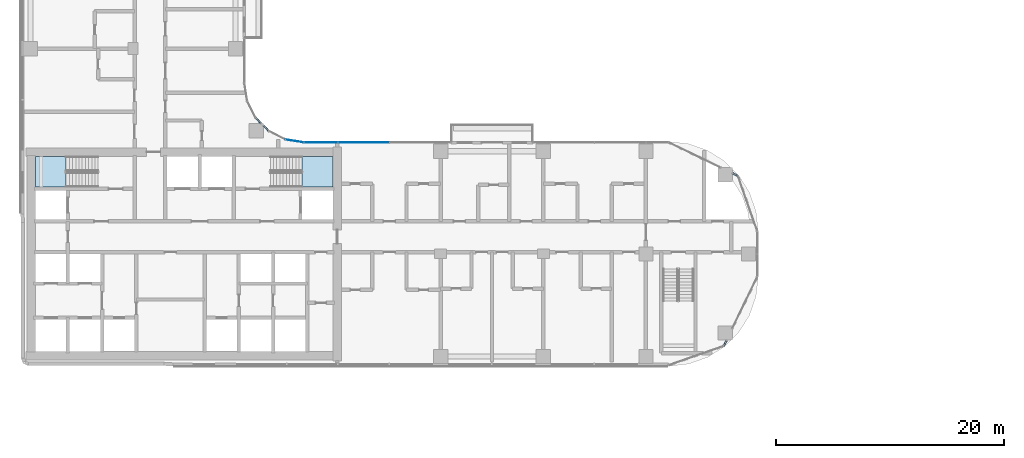
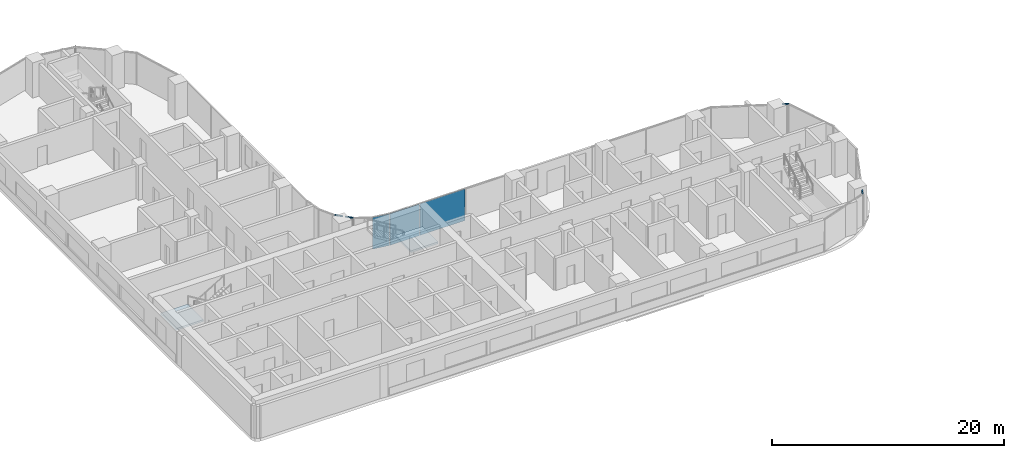
# One storey, part 11 of 35: 4 members, 3 plates, 2 slabs, 7 elements without a shape of their own.
"""IFC4 building model written with IfcOpenShell, lengths in metres."""

from ifc_helpers import new_model, si_unit, direction, frame, origin, origin_2d, place, context, subcontext, project, spatial, polyline, rectangle, outline, extrude, material, layer, layer_set, material_profile, profile_set, type_object, element, aggregate, save


model = new_model("IFC4")

# Units and contexts
model_context = context("Model", 3, precision=1e-05, world=origin(), true_north=direction((0.0, 1.0)))
body_context = subcontext(model_context, "Body", "Model", "MODEL_VIEW")
ifc_project = project(units=[si_unit("LENGTHUNIT", "METRE"), si_unit("AREAUNIT", "SQUARE_METRE"), si_unit("VOLUMEUNIT", "CUBIC_METRE"), si_unit("PLANEANGLEUNIT", "RADIAN"), si_unit("MASSUNIT", "GRAM", prefix="KILO")], contexts=[model_context])

# Site, building, storey
site_placement = place(None, origin())
site = spatial("IfcSite", under=ifc_project, at=site_placement, CompositionType="ELEMENT")
building_placement = place(site_placement, origin())
building = spatial("IfcBuilding", under=site, at=building_placement, Name="Ogive Portal Towers", CompositionType="ELEMENT")
storey_placement = place(building_placement, frame((0.0, 0.0, 90.800048828125)))
storey = spatial("IfcBuildingStorey", under=building, at=storey_placement, Name="L21", CompositionType="ELEMENT", Elevation=90.800048828125)

# Curtain wall, member
ifc_material_1 = material(Name="Glass, clear low-iron insulated glazing", Category="glass")
curtain_wall_type = type_object("IfcCurtainWallType", Name="CW FRONT RIBBON 4500", PredefinedType="NOTDEFINED", material=ifc_material_1)
curtain_wall_1_placement = place(storey_placement, origin())
curtain_wall_1 = element("IfcCurtainWall", 1, at=curtain_wall_1_placement, inside=storey, type_object=curtain_wall_type, Name="A:L21:f06:cwa~0", PredefinedType="NOTDEFINED")
ifc_material_2 = material(Name="Aluminium 6063 anodised", Category="aluminium")
ifc_material_profile = material_profile(ifc_material_2, rectangle(XDim=0.1201171875, YDim=0.06005859375, at=origin_2d()), Name="AL 120x60")
ifc_profile_set = profile_set([ifc_material_profile], Name="Aluminium 6063 anodised")
member_type = type_object("IfcMemberType", Name="CW TRANSOM 60x120", PredefinedType="USERDEFINED", material=ifc_profile_set)
member_1_placement = place(storey_placement, frame((92.33984375, 22.42333984375, 3.369873046875), z_axis=(0.434013326486, 0.900906450433, 0.0), x_axis=(-0.900906450433, 0.434013326486, 0.0)))
member_1 = element("IfcMember", 2, at=member_1_placement, type_object=member_type, Name="transom", ObjectType="TRANSOM", PredefinedType="USERDEFINED", context=body_context, shape_type="SweptSolid", body=[
    extrude(rectangle(XDim=0.1201171875, YDim=0.06005859375, at=origin_2d()), origin(), (0.0, 0.0, 1.0), 0.556884765625),
])
aggregate(curtain_wall_1, [member_1])

curtain_wall_2_placement = place(storey_placement, origin())
curtain_wall_2 = element("IfcCurtainWall", 3, at=curtain_wall_2_placement, inside=storey, type_object=curtain_wall_type, Name="A:L21:f09:cwa~0", PredefinedType="NOTDEFINED")
member_2_placement = place(storey_placement, frame((93.57666015625, 37.33984375, 3.369873046875), z_axis=(-0.900906450433, 0.434013326486, 0.0), x_axis=(-0.434013326486, -0.900906450433, 0.0)))
member_2 = element("IfcMember", 4, at=member_2_placement, type_object=member_type, Name="transom", ObjectType="TRANSOM", PredefinedType="USERDEFINED", context=body_context, shape_type="SweptSolid", body=[
    extrude(rectangle(XDim=0.1201171875, YDim=0.06005859375, at=origin_2d()), origin(), (0.0, 0.0, 1.0), 0.556884765625),
])
aggregate(curtain_wall_2, [member_2])

curtain_wall_3_placement = place(storey_placement, origin())
curtain_wall_3 = element("IfcCurtainWall", 5, at=curtain_wall_3_placement, inside=storey, type_object=curtain_wall_type, Name="A:L21:f12:cwa~0", PredefinedType="NOTDEFINED")
member_3_placement = place(storey_placement, frame((52.42822265625, 41.27197265625, 3.369873046875), z_axis=(-0.706931776423, 0.707281742649, 0.0), x_axis=(-0.707281742649, -0.706931776423, 0.0)))
member_3 = element("IfcMember", 6, at=member_3_placement, type_object=member_type, Name="transom", ObjectType="TRANSOM", PredefinedType="USERDEFINED", context=body_context, shape_type="SweptSolid", body=[
    extrude(rectangle(XDim=0.1201171875, YDim=0.06005859375, at=origin_2d()), origin(), (0.0, 0.0, 1.0), 0.697509765625),
])

curtain_wall_4_placement = place(storey_placement, origin())
curtain_wall_4 = element("IfcCurtainWall", 7, at=curtain_wall_4_placement, inside=storey, type_object=curtain_wall_type, Name="A:L21:f12:cwa~1", PredefinedType="NOTDEFINED")
member_4_placement = place(storey_placement, frame((51.765380859375, 41.93505859375, 3.369873046875), z_axis=(-0.707281742649, 0.706931776423, 0.0), x_axis=(-0.706931776423, -0.707281742649, 0.0)))
member_4 = element("IfcMember", 8, at=member_4_placement, type_object=member_type, Name="transom", ObjectType="TRANSOM", PredefinedType="USERDEFINED", context=body_context, shape_type="SweptSolid", body=[
    extrude(rectangle(XDim=0.1201171875, YDim=0.06005859375, at=origin_2d()), origin(), (0.0, 0.0, 1.0), 0.697509765625),
])
aggregate(curtain_wall_4, [member_4])

# Curtain wall, plates
curtain_wall_5_placement = place(storey_placement, origin())
curtain_wall_5 = element("IfcCurtainWall", 9, at=curtain_wall_5_placement, inside=storey, type_object=curtain_wall_type, Name="A:L21:f11:cw1", PredefinedType="NOTDEFINED")
ifc_layer_1 = layer(ifc_material_1, 0.028076171875)
ifc_layer_set_1 = layer_set([ifc_layer_1], Name="CW PANEL IGU 28")
plate_type = type_object("IfcPlateType", Name="CW PANEL IGU 28", PredefinedType="CURTAIN_PANEL", material=ifc_layer_set_1)
plate_1_placement = place(storey_placement, frame((60.75, 40.27490234375, 0.0), z_axis=(0.0, 0.0, 1.0), x_axis=(-1.0, 0.0, 0.0)))
plate_1 = element("IfcPlate", 10, at=plate_1_placement, type_object=plate_type, Name="panel", PredefinedType="CURTAIN_PANEL", context=body_context, shape_type="SweptSolid", body=[
    extrude(rectangle(XDim=4.43994140625, YDim=0.028076171875, at=origin_2d()), origin(), (0.0, 0.0, 1.0), 3.340087890625),
])
plate_2_placement = place(storey_placement, frame((56.996826171875, 40.27490234375, 0.0), z_axis=(0.0, 0.0, 1.0), x_axis=(-1.0, 0.0, 0.0)))
plate_2 = element("IfcPlate", 11, at=plate_2_placement, type_object=plate_type, Name="panel", PredefinedType="CURTAIN_PANEL", context=body_context, shape_type="SweptSolid", body=[
    extrude(rectangle(XDim=2.9462890625, YDim=0.028076171875, at=origin_2d()), origin(), (0.0, 0.0, 1.0), 3.340087890625),
])
aggregate(curtain_wall_5, [plate_1, plate_2])

# Plate
plate_3_placement = place(storey_placement, frame((54.689453125, 40.40234375, 0.0), z_axis=(0.0, 0.0, 1.0), x_axis=(-0.987688340595, 0.15643446504, 0.0)))
plate_3 = element("IfcPlate", 12, at=plate_3_placement, type_object=plate_type, Name="panel", PredefinedType="CURTAIN_PANEL", context=body_context, shape_type="SweptSolid", body=[
    extrude(rectangle(XDim=1.568603515625, YDim=0.028076171875, at=origin_2d()), origin(), (0.0, 0.0, 1.0), 3.340087890625),
])

aggregate(curtain_wall_3, [member_3, plate_3])

# Stair, slab
ifc_material_3 = material(Name="Concrete C40/50", Category="concrete")
stair_type = type_object("IfcStairType", Name="INT-STAIR", PredefinedType="HALF_TURN_STAIR", material=ifc_material_3)
stair_1_placement = place(storey_placement, origin())
stair_1 = element("IfcStair", 13, at=stair_1_placement, inside=storey, type_object=stair_type, Name="L21 Exit Stair ST-A1", PredefinedType="HALF_TURN_STAIR")
ifc_layer_2 = layer(ifc_material_3, 0.199951171875)
ifc_layer_set_2 = layer_set([ifc_layer_2], Name="INT-LANDING")
slab_type = type_object("IfcSlabType", Name="INT-LANDING", PredefinedType="LANDING", material=ifc_layer_set_2)
slab_1_placement = place(storey_placement, frame((0.0, 0.0, 1.64990234375)))
slab_1 = element("IfcSlab", 14, at=slab_1_placement, type_object=slab_type, Name="ST-A1 landing 1", PredefinedType="LANDING", context=body_context, shape_type="SweptSolid", body=[
    extrude(outline(polyline([(34.64990234375, 39.050048828125), (31.949951171875, 39.050048828125), (31.949951171875, 36.35009765625), (34.64990234375, 36.35009765625), (34.64990234375, 39.050048828125)])), origin(), (0.0, 0.0, 1.0), 0.199951171875),
])
aggregate(stair_1, [slab_1])

stair_2_placement = place(storey_placement, origin())
stair_2 = element("IfcStair", 15, at=stair_2_placement, inside=storey, type_object=stair_type, Name="L21 Exit Stair ST-A2", PredefinedType="HALF_TURN_STAIR")
slab_2_placement = place(storey_placement, frame((0.0, 0.0, 1.64990234375)))
slab_2 = element("IfcSlab", 16, at=slab_2_placement, type_object=slab_type, Name="ST-A2 landing 1", PredefinedType="LANDING", context=body_context, shape_type="SweptSolid", body=[
    extrude(outline(polyline([(55.35009765625, 36.35009765625), (58.050048828125, 36.35009765625), (58.050048828125, 39.050048828125), (55.35009765625, 39.050048828125), (55.35009765625, 36.35009765625)])), origin(), (0.0, 0.0, 1.0), 0.199951171875),
])
aggregate(stair_2, [slab_2])

save(model, "model.ifc")
